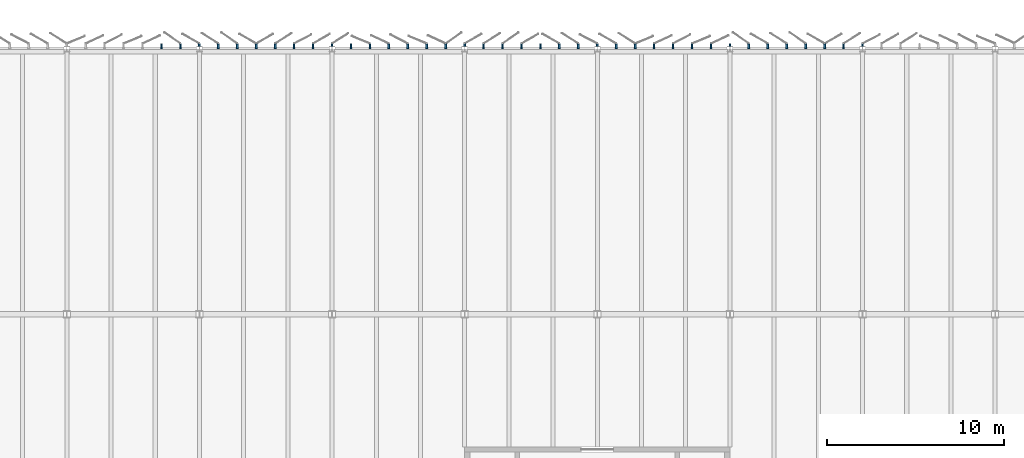
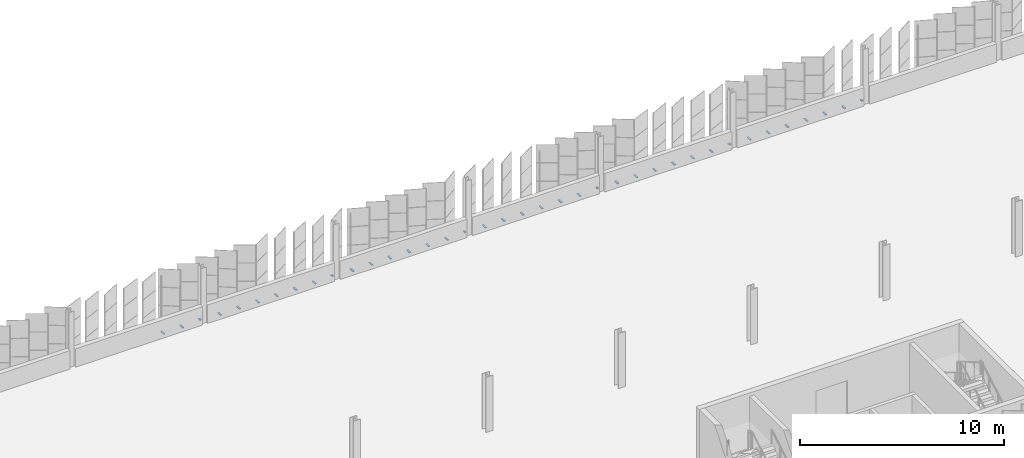
# One storey, part 191 of 214: 38 discrete accessories.
"""IFC4 building model written with IfcOpenShell, lengths in metres."""

from ifc_helpers import new_model, si_unit, direction, frame, origin, origin_2d, place, context, subcontext, project, spatial, rectangle, extrude, material, type_object, element, save


model = new_model("IFC4")

# Units and contexts
model_context = context("Model", 3, precision=1e-05, world=origin(), true_north=direction((0.0, 1.0)))
body_context = subcontext(model_context, "Body", "Model", "MODEL_VIEW")
ifc_project = project(units=[si_unit("LENGTHUNIT", "METRE"), si_unit("AREAUNIT", "SQUARE_METRE"), si_unit("VOLUMEUNIT", "CUBIC_METRE"), si_unit("PLANEANGLEUNIT", "RADIAN"), si_unit("MASSUNIT", "GRAM", prefix="KILO")], contexts=[model_context])

# Site, building, storey
site_placement = place(None, origin())
site = spatial("IfcSite", under=ifc_project, at=site_placement, CompositionType="ELEMENT")
building_placement = place(site_placement, origin())
building = spatial("IfcBuilding", under=site, at=building_placement, Name="Parallax Yard Mobility Hub", CompositionType="ELEMENT")
storey_placement = place(building_placement, frame((0.0, 0.0, 3.300048828125)))
storey = spatial("IfcBuildingStorey", under=building, at=storey_placement, Name="L01", CompositionType="ELEMENT", Elevation=3.300048828125)

# Discrete accessories
ifc_material = material(Name="Steel ASTM A36, hot-dip galvanised", Category="steel")
discrete_accessory_type = type_object("IfcDiscreteAccessoryType", Name="Hinge bracket plate 100x50", PredefinedType="BRACKET", material=ifc_material)
discrete_accessory_1_placement = place(storey_placement, frame((149.999267578125, 142.719482421875, -0.02490234375), z_axis=(0.0, 0.0, 1.0), x_axis=(0.0, 1.0, 0.0)))
element("IfcDiscreteAccessory", 1, at=discrete_accessory_1_placement, inside=storey, type_object=discrete_accessory_type, Name="Hinge bracket plate bay 54.1 level L01", PredefinedType="BRACKET", context=body_context, shape_type="SweptSolid", body=[
    extrude(rectangle(XDim=0.128173828125, YDim=0.10009765625, at=origin_2d()), origin(), (0.0, 0.0, 1.0), 0.050048828125),
])
for number, where, z_axis, x_axis, name in (
    (2, (148.927490234375, 142.6416015625, -0.02490234375), (0.0, 0.0, 1.0), (0.0, 1.0, 0.0), "Hinge bracket plate bay 54.2 level L01"),
    (3, (147.856201171875, 142.6416015625, -0.02490234375), (0.0, 0.0, 1.0), (0.0, 1.0, 0.0), "Hinge bracket plate bay 54.3 level L01"),
    (4, (146.784423828125, 142.6416015625, -0.02490234375), (0.0, 0.0, 1.0), (0.0, 1.0, 0.0), "Hinge bracket plate bay 54.4 level L01"),
    (5, (145.712890625, 142.6416015625, -0.02490234375), (0.0, 0.0, 1.0), (0.0, 1.0, 0.0), "Hinge bracket plate bay 54.5 level L01"),
    (6, (144.641357421875, 142.6416015625, -0.02490234375), (0.0, 0.0, 1.0), (0.0, 1.0, 0.0), "Hinge bracket plate bay 54.6 level L01"),
    (7, (143.56982421875, 142.6416015625, -0.02490234375), (0.0, 0.0, 1.0), (0.0, 1.0, 0.0), "Hinge bracket plate bay 54.7 level L01"),
):
    element("IfcDiscreteAccessory", number, at=place(storey_placement, frame(where, z_axis=z_axis, x_axis=x_axis)), inside=storey, type_object=discrete_accessory_type, Name=name, PredefinedType="BRACKET", context=body_context, shape_type="SweptSolid", body=[
        extrude(rectangle(XDim=0.2841796875, YDim=0.10009765625, at=origin_2d()), origin(), (0.0, 0.0, 1.0), 0.050048828125),
    ])
discrete_accessory_2_placement = place(storey_placement, frame((142.498291015625, 142.719482421875, -0.02490234375), z_axis=(0.0, 0.0, 1.0), x_axis=(0.0, 1.0, 0.0)))
element("IfcDiscreteAccessory", 8, at=discrete_accessory_2_placement, inside=storey, type_object=discrete_accessory_type, Name="Hinge bracket plate bay 55.1 level L01", PredefinedType="BRACKET", context=body_context, shape_type="SweptSolid", body=[
    extrude(rectangle(XDim=0.128173828125, YDim=0.10009765625, at=origin_2d()), origin(), (0.0, 0.0, 1.0), 0.050048828125),
])
for number, where, z_axis, x_axis, name in (
    (9, (141.4267578125, 142.6416015625, -0.02490234375), (0.0, 0.0, 1.0), (0.0, 1.0, 0.0), "Hinge bracket plate bay 55.2 level L01"),
    (10, (140.355224609375, 142.6416015625, -0.02490234375), (0.0, 0.0, 1.0), (0.0, 1.0, 0.0), "Hinge bracket plate bay 55.3 level L01"),
    (11, (139.28369140625, 142.6416015625, -0.02490234375), (0.0, 0.0, 1.0), (0.0, 1.0, 0.0), "Hinge bracket plate bay 55.4 level L01"),
    (12, (138.212158203125, 142.6416015625, -0.02490234375), (0.0, 0.0, 1.0), (0.0, 1.0, 0.0), "Hinge bracket plate bay 55.5 level L01"),
    (13, (137.140380859375, 142.6416015625, -0.02490234375), (0.0, 0.0, 1.0), (0.0, 1.0, 0.0), "Hinge bracket plate bay 55.6 level L01"),
    (14, (136.069091796875, 142.6416015625, -0.02490234375), (0.0, 0.0, 1.0), (0.0, 1.0, 0.0), "Hinge bracket plate bay 55.7 level L01"),
):
    element("IfcDiscreteAccessory", number, at=place(storey_placement, frame(where, z_axis=z_axis, x_axis=x_axis)), inside=storey, type_object=discrete_accessory_type, Name=name, PredefinedType="BRACKET", context=body_context, shape_type="SweptSolid", body=[
        extrude(rectangle(XDim=0.2841796875, YDim=0.10009765625, at=origin_2d()), origin(), (0.0, 0.0, 1.0), 0.050048828125),
    ])
discrete_accessory_3_placement = place(storey_placement, frame((134.997314453125, 142.719482421875, -0.02490234375), z_axis=(0.0, 0.0, 1.0), x_axis=(0.0, 1.0, 0.0)))
element("IfcDiscreteAccessory", 15, at=discrete_accessory_3_placement, inside=storey, type_object=discrete_accessory_type, Name="Hinge bracket plate bay 56.1 level L01", PredefinedType="BRACKET", context=body_context, shape_type="SweptSolid", body=[
    extrude(rectangle(XDim=0.128173828125, YDim=0.10009765625, at=origin_2d()), origin(), (0.0, 0.0, 1.0), 0.050048828125),
])
for number, where, z_axis, x_axis, name in (
    (16, (133.92578125, 142.6416015625, -0.02490234375), (0.0, 0.0, 1.0), (0.0, 1.0, 0.0), "Hinge bracket plate bay 56.2 level L01"),
    (17, (132.854248046875, 142.6416015625, -0.02490234375), (0.0, 0.0, 1.0), (0.0, 1.0, 0.0), "Hinge bracket plate bay 56.3 level L01"),
    (18, (131.78271484375, 142.6416015625, -0.02490234375), (0.0, 0.0, 1.0), (0.0, 1.0, 0.0), "Hinge bracket plate bay 56.4 level L01"),
    (19, (130.711181640625, 142.6416015625, -0.02490234375), (0.0, 0.0, 1.0), (0.0, 1.0, 0.0), "Hinge bracket plate bay 56.5 level L01"),
    (20, (129.6396484375, 142.6416015625, -0.02490234375), (0.0, 0.0, 1.0), (0.0, 1.0, 0.0), "Hinge bracket plate bay 56.6 level L01"),
    (21, (128.568115234375, 142.6416015625, -0.02490234375), (0.0, 0.0, 1.0), (0.0, 1.0, 0.0), "Hinge bracket plate bay 56.7 level L01"),
):
    element("IfcDiscreteAccessory", number, at=place(storey_placement, frame(where, z_axis=z_axis, x_axis=x_axis)), inside=storey, type_object=discrete_accessory_type, Name=name, PredefinedType="BRACKET", context=body_context, shape_type="SweptSolid", body=[
        extrude(rectangle(XDim=0.2841796875, YDim=0.10009765625, at=origin_2d()), origin(), (0.0, 0.0, 1.0), 0.050048828125),
    ])
discrete_accessory_4_placement = place(storey_placement, frame((127.49658203125, 142.719482421875, -0.02490234375), z_axis=(0.0, 0.0, 1.0), x_axis=(0.0, 1.0, 0.0)))
element("IfcDiscreteAccessory", 22, at=discrete_accessory_4_placement, inside=storey, type_object=discrete_accessory_type, Name="Hinge bracket plate bay 57.1 level L01", PredefinedType="BRACKET", context=body_context, shape_type="SweptSolid", body=[
    extrude(rectangle(XDim=0.128173828125, YDim=0.10009765625, at=origin_2d()), origin(), (0.0, 0.0, 1.0), 0.050048828125),
])
for number, where, z_axis, x_axis, name in (
    (23, (126.425048828125, 142.6416015625, -0.02490234375), (0.0, 0.0, 1.0), (0.0, 1.0, 0.0), "Hinge bracket plate bay 57.2 level L01"),
    (24, (125.353515625, 142.6416015625, -0.02490234375), (0.0, 0.0, 1.0), (0.0, 1.0, 0.0), "Hinge bracket plate bay 57.3 level L01"),
    (25, (124.281982421875, 142.6416015625, -0.02490234375), (0.0, 0.0, 1.0), (0.0, 1.0, 0.0), "Hinge bracket plate bay 57.4 level L01"),
    (26, (123.210205078125, 142.6416015625, -0.02490234375), (0.0, 0.0, 1.0), (0.0, 1.0, 0.0), "Hinge bracket plate bay 57.5 level L01"),
    (27, (122.138916015625, 142.6416015625, -0.02490234375), (0.0, 0.0, 1.0), (0.0, 1.0, 0.0), "Hinge bracket plate bay 57.6 level L01"),
    (28, (121.067138671875, 142.6416015625, -0.02490234375), (0.0, 0.0, 1.0), (0.0, 1.0, 0.0), "Hinge bracket plate bay 57.7 level L01"),
):
    element("IfcDiscreteAccessory", number, at=place(storey_placement, frame(where, z_axis=z_axis, x_axis=x_axis)), inside=storey, type_object=discrete_accessory_type, Name=name, PredefinedType="BRACKET", context=body_context, shape_type="SweptSolid", body=[
        extrude(rectangle(XDim=0.2841796875, YDim=0.10009765625, at=origin_2d()), origin(), (0.0, 0.0, 1.0), 0.050048828125),
    ])
discrete_accessory_5_placement = place(storey_placement, frame((119.99560546875, 142.719482421875, -0.02490234375), z_axis=(0.0, 0.0, 1.0), x_axis=(0.0, 1.0, 0.0)))
element("IfcDiscreteAccessory", 29, at=discrete_accessory_5_placement, inside=storey, type_object=discrete_accessory_type, Name="Hinge bracket plate bay 58.1 level L01", PredefinedType="BRACKET", context=body_context, shape_type="SweptSolid", body=[
    extrude(rectangle(XDim=0.128173828125, YDim=0.10009765625, at=origin_2d()), origin(), (0.0, 0.0, 1.0), 0.050048828125),
])
for number, where, z_axis, x_axis, name in (
    (30, (118.924072265625, 142.6416015625, -0.02490234375), (0.0, 0.0, 1.0), (0.0, 1.0, 0.0), "Hinge bracket plate bay 58.2 level L01"),
    (31, (117.8525390625, 142.6416015625, -0.02490234375), (0.0, 0.0, 1.0), (0.0, 1.0, 0.0), "Hinge bracket plate bay 58.3 level L01"),
    (32, (116.781005859375, 142.6416015625, -0.02490234375), (0.0, 0.0, 1.0), (0.0, 1.0, 0.0), "Hinge bracket plate bay 58.4 level L01"),
    (33, (115.70947265625, 142.6416015625, -0.02490234375), (0.0, 0.0, 1.0), (0.0, 1.0, 0.0), "Hinge bracket plate bay 58.5 level L01"),
    (34, (114.637939453125, 142.6416015625, -0.02490234375), (0.0, 0.0, 1.0), (0.0, 1.0, 0.0), "Hinge bracket plate bay 58.6 level L01"),
    (35, (113.56640625, 142.6416015625, -0.02490234375), (0.0, 0.0, 1.0), (0.0, 1.0, 0.0), "Hinge bracket plate bay 58.7 level L01"),
):
    element("IfcDiscreteAccessory", number, at=place(storey_placement, frame(where, z_axis=z_axis, x_axis=x_axis)), inside=storey, type_object=discrete_accessory_type, Name=name, PredefinedType="BRACKET", context=body_context, shape_type="SweptSolid", body=[
        extrude(rectangle(XDim=0.2841796875, YDim=0.10009765625, at=origin_2d()), origin(), (0.0, 0.0, 1.0), 0.050048828125),
    ])
discrete_accessory_6_placement = place(storey_placement, frame((112.494873046875, 142.719482421875, -0.02490234375), z_axis=(0.0, 0.0, 1.0), x_axis=(0.0, 1.0, 0.0)))
element("IfcDiscreteAccessory", 36, at=discrete_accessory_6_placement, inside=storey, type_object=discrete_accessory_type, Name="Hinge bracket plate bay 59.1 level L01", PredefinedType="BRACKET", context=body_context, shape_type="SweptSolid", body=[
    extrude(rectangle(XDim=0.128173828125, YDim=0.10009765625, at=origin_2d()), origin(), (0.0, 0.0, 1.0), 0.050048828125),
])
for number, where, z_axis, x_axis, name in (
    (37, (111.423095703125, 142.6416015625, -0.02490234375), (0.0, 0.0, 1.0), (0.0, 1.0, 0.0), "Hinge bracket plate bay 59.2 level L01"),
    (38, (110.351806640625, 142.6416015625, -0.02490234375), (0.0, 0.0, 1.0), (0.0, 1.0, 0.0), "Hinge bracket plate bay 59.3 level L01"),
):
    element("IfcDiscreteAccessory", number, at=place(storey_placement, frame(where, z_axis=z_axis, x_axis=x_axis)), inside=storey, type_object=discrete_accessory_type, Name=name, PredefinedType="BRACKET", context=body_context, shape_type="SweptSolid", body=[
        extrude(rectangle(XDim=0.2841796875, YDim=0.10009765625, at=origin_2d()), origin(), (0.0, 0.0, 1.0), 0.050048828125),
    ])

save(model, "model.ifc")
